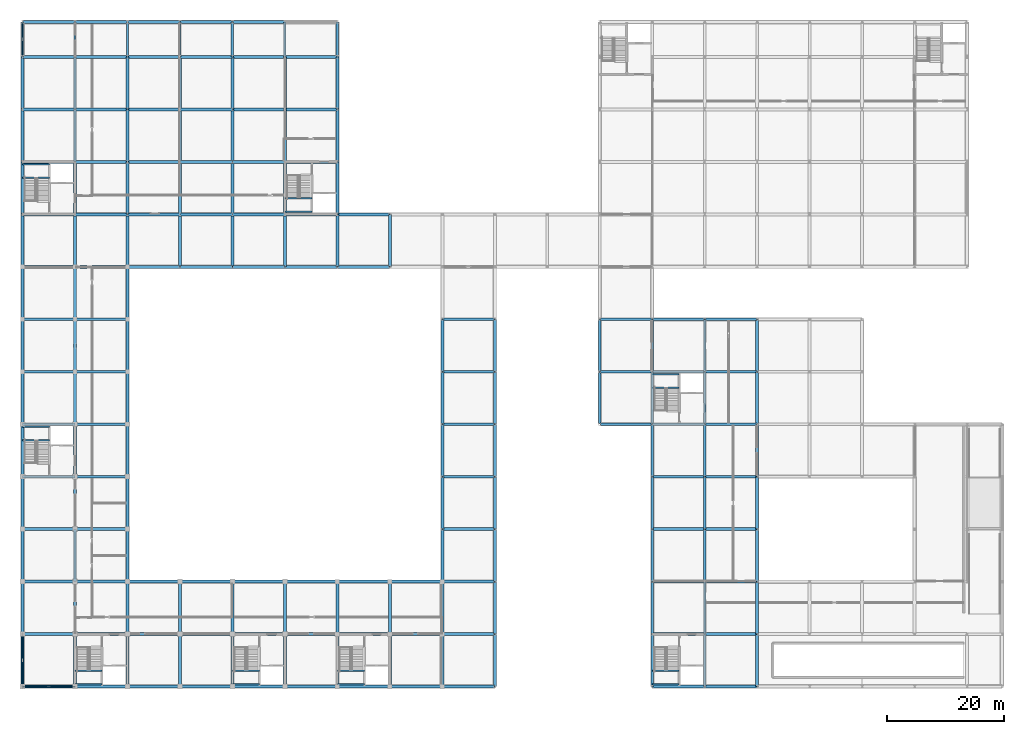
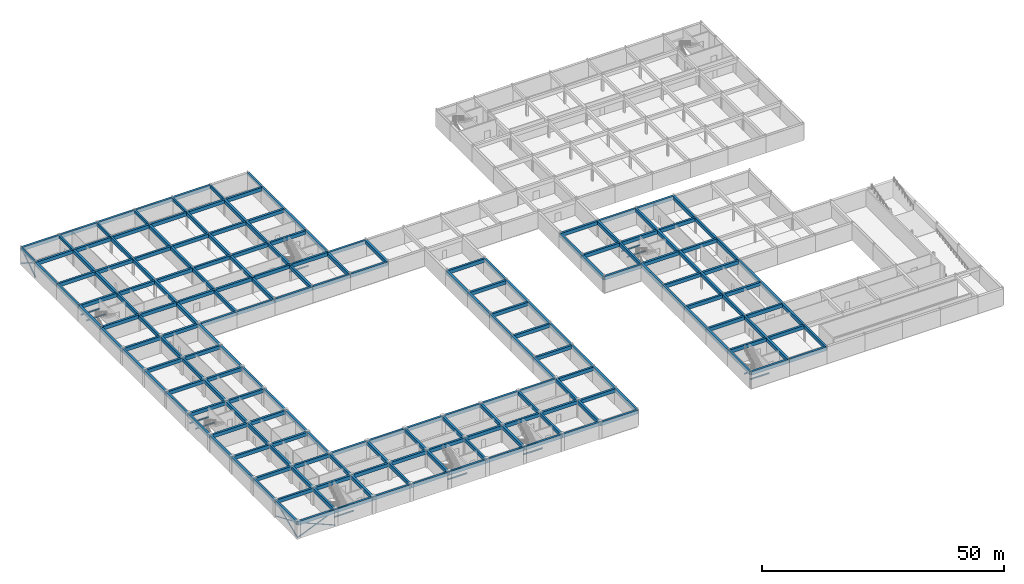
# One storey, part 15 of 35: 221 beams, 12 members.
"""IFC4 building model written with IfcOpenShell, lengths in metres."""

from ifc_helpers import new_model, si_unit, direction, frame, origin, origin_2d, place, context, subcontext, project, spatial, rectangle, hollow_rectangle, hollow_circle, i_section, extrude, material, material_profile, profile_set, type_object, element, save


model = new_model("IFC4")

# Units and contexts
model_context = context("Model", 3, precision=1e-05, world=origin(), true_north=direction((0.0, 1.0)))
body_context = subcontext(model_context, "Body", "Model", "MODEL_VIEW")
ifc_project = project(units=[si_unit("LENGTHUNIT", "METRE"), si_unit("AREAUNIT", "SQUARE_METRE"), si_unit("VOLUMEUNIT", "CUBIC_METRE"), si_unit("PLANEANGLEUNIT", "RADIAN"), si_unit("MASSUNIT", "GRAM", prefix="KILO")], contexts=[model_context])

# Site, building, storey
site_placement = place(None, origin())
site = spatial("IfcSite", under=ifc_project, at=site_placement, CompositionType="ELEMENT")
building_placement = place(site_placement, origin())
building = spatial("IfcBuilding", under=site, at=building_placement, Name="Palais des Congres Ocreval", CompositionType="ELEMENT")
storey_placement = place(building_placement, frame((0.0, 0.0, -4.47998046875)))
storey = spatial("IfcBuildingStorey", under=building, at=storey_placement, Name="B1", CompositionType="ELEMENT", Elevation=-4.47998046875)

# Beams
ifc_material_1 = material(Name="Concrete C35/45", Category="concrete")
ifc_material_profile_1 = material_profile(ifc_material_1, rectangle(XDim=0.39990234375, YDim=0.699951171875, at=origin_2d()), Name="RC 400x700")
ifc_profile_set_1 = profile_set([ifc_material_profile_1], Name="Concrete C35/45")
beam_type_1 = type_object("IfcBeamType", Name="Basement Beam RC 400x700 Concrete C35/45", PredefinedType="BEAM", material=ifc_profile_set_1)
for number, where, z_axis, x_axis, name in (
    (1, (0.0, 108.02001953125, 3.830078125), (0.0, 1.0, 0.0), (-1.0, 0.0, 0.0), "Girder TG03 B1"),
    (2, (9.0, 108.02001953125, 3.830078125), (0.0, 1.0, 0.0), (-1.0, 0.0, 0.0), "Girder TG03 B1"),
    (3, (18.0, 108.02001953125, 3.830078125), (0.0, 1.0, 0.0), (-1.0, 0.0, 0.0), "Girder TG03 B1"),
    (4, (27.0, 108.02001953125, 3.830078125), (0.0, 1.0, 0.0), (-1.0, 0.0, 0.0), "Girder TG03 B1"),
    (5, (36.0, 108.02001953125, 3.830078125), (0.0, 1.0, 0.0), (-1.0, 0.0, 0.0), "Girder TG03 B1"),
    (6, (45.0, 108.02001953125, 3.830078125), (0.0, 1.0, 0.0), (-1.0, 0.0, 0.0), "Girder TG03 B1"),
    (7, (54.0, 108.02001953125, 3.830078125), (0.0, 1.0, 0.0), (-1.0, 0.0, 0.0), "Girder TG03 B1"),
):
    element("IfcBeam", number, at=place(storey_placement, frame(where, z_axis=z_axis, x_axis=x_axis)), inside=storey, type_object=beam_type_1, Name=name, PredefinedType="BEAM", context=body_context, shape_type="SweptSolid", body=[
        extrude(rectangle(XDim=0.39990234375, YDim=0.699951171875, at=origin_2d()), origin(), (0.0, 0.0, 1.0), 5.9599609375),
    ])
ifc_material_profile_2 = material_profile(ifc_material_1, rectangle(XDim=0.5, YDim=0.89990234375, at=origin_2d()), Name="RC 500x900")
ifc_profile_set_2 = profile_set([ifc_material_profile_2], Name="Concrete C35/45")
beam_type_2 = type_object("IfcBeamType", Name="Basement Girder RC 500x900 Concrete C35/45", PredefinedType="BEAM", material=ifc_profile_set_2)
for number, where, z_axis, x_axis, name in (
    (8, (0.02001953125, 0.0, 3.77001953125), (1.0, 0.0, 0.0), (0.0, 1.0, 0.0), "Beam TG04 B1"),
    (9, (0.0, 0.02001953125, 3.77001953125), (0.0, 1.0, 0.0), (-1.0, 0.0, 0.0), "Girder TG04 B1"),
    (10, (0.02001953125, 9.0, 3.77001953125), (1.0, 0.0, 0.0), (0.0, 1.0, 0.0), "Beam TG04 B1"),
    (11, (0.0, 9.02001953125, 3.77001953125), (0.0, 1.0, 0.0), (-1.0, 0.0, 0.0), "Girder TG04 B1"),
    (12, (0.02001953125, 18.0, 3.77001953125), (1.0, 0.0, 0.0), (0.0, 1.0, 0.0), "Beam TG04 B1"),
    (13, (0.0, 18.02001953125, 3.77001953125), (0.0, 1.0, 0.0), (-1.0, 0.0, 0.0), "Girder TG04 B1"),
    (14, (0.02001953125, 27.0, 3.77001953125), (1.0, 0.0, 0.0), (0.0, 1.0, 0.0), "Beam TG04 B1"),
    (15, (0.0, 27.02001953125, 3.77001953125), (0.0, 1.0, 0.0), (-1.0, 0.0, 0.0), "Girder TG04 B1"),
    (16, (0.02001953125, 36.0, 3.77001953125), (1.0, 0.0, 0.0), (0.0, 1.0, 0.0), "Beam TG04 B1"),
    (17, (0.0, 36.02001953125, 3.77001953125), (0.0, 1.0, 0.0), (-1.0, 0.0, 0.0), "Girder TG04 B1"),
    (18, (0.02001953125, 45.0, 3.77001953125), (1.0, 0.0, 0.0), (0.0, 1.0, 0.0), "Beam TG04 B1"),
    (19, (0.0, 45.02001953125, 3.77001953125), (0.0, 1.0, 0.0), (-1.0, 0.0, 0.0), "Girder TG04 B1"),
    (20, (0.02001953125, 54.0, 3.77001953125), (1.0, 0.0, 0.0), (0.0, 1.0, 0.0), "Beam TG04 B1"),
    (21, (0.0, 54.02001953125, 3.77001953125), (0.0, 1.0, 0.0), (-1.0, 0.0, 0.0), "Girder TG04 B1"),
    (22, (0.02001953125, 63.0, 3.77001953125), (1.0, 0.0, 0.0), (0.0, 1.0, 0.0), "Beam TG04 B1"),
    (23, (0.0, 63.02001953125, 3.77001953125), (0.0, 1.0, 0.0), (-1.0, 0.0, 0.0), "Girder TG04 B1"),
    (24, (0.02001953125, 72.0, 3.77001953125), (1.0, 0.0, 0.0), (0.0, 1.0, 0.0), "Beam TG04 B1"),
    (25, (0.0, 72.02001953125, 3.580078125), (0.0, 1.0, 0.0), (-1.0, 0.0, 0.0), "Girder TG04 B1"),
    (26, (0.02001953125, 81.0, 3.72998046875), (1.0, 0.0, 0.0), (0.0, 1.0, 0.0), "Beam TG04 B1"),
    (27, (0.0, 81.02001953125, 3.72998046875), (0.0, 1.0, 0.0), (-1.0, 0.0, 0.0), "Girder TG04 B1"),
    (28, (0.02001953125, 90.0, 3.72998046875), (1.0, 0.0, 0.0), (0.0, 1.0, 0.0), "Beam TG04 B1"),
    (29, (0.0, 90.02001953125, 3.72998046875), (0.0, 1.0, 0.0), (-1.0, 0.0, 0.0), "Girder TG04 B1"),
    (30, (0.02001953125, 99.0, 3.72998046875), (1.0, 0.0, 0.0), (0.0, 1.0, 0.0), "Beam TG04 B1"),
    (31, (0.0, 99.02001953125, 3.72998046875), (0.0, 1.0, 0.0), (-1.0, 0.0, 0.0), "Girder TG04 B1"),
    (32, (0.02001953125, 108.0, 3.72998046875), (1.0, 0.0, 0.0), (0.0, 1.0, 0.0), "Beam TG04 B1"),
    (33, (0.02001953125, 114.0, 3.72998046875), (1.0, 0.0, 0.0), (0.0, 1.0, 0.0), "Beam TG04 B1"),
    (34, (9.02001953125, 0.0, 3.77001953125), (1.0, 0.0, 0.0), (0.0, 1.0, 0.0), "Beam TG04 B1"),
    (35, (9.0, 0.02001953125, 3.77001953125), (0.0, 1.0, 0.0), (-1.0, 0.0, 0.0), "Girder TG04 B1"),
    (36, (9.02001953125, 9.0, 3.77001953125), (1.0, 0.0, 0.0), (0.0, 1.0, 0.0), "Beam TG04 B1"),
    (37, (9.0, 9.02001953125, 3.77001953125), (0.0, 1.0, 0.0), (-1.0, 0.0, 0.0), "Girder TG04 B1"),
    (38, (9.02001953125, 18.0, 3.77001953125), (1.0, 0.0, 0.0), (0.0, 1.0, 0.0), "Beam TG04 B1"),
    (39, (9.0, 18.02001953125, 3.77001953125), (0.0, 1.0, 0.0), (-1.0, 0.0, 0.0), "Girder TG04 B1"),
    (40, (9.02001953125, 27.0, 3.77001953125), (1.0, 0.0, 0.0), (0.0, 1.0, 0.0), "Beam TG04 B1"),
    (41, (9.0, 27.02001953125, 3.77001953125), (0.0, 1.0, 0.0), (-1.0, 0.0, 0.0), "Girder TG04 B1"),
    (42, (9.02001953125, 36.0, 3.77001953125), (1.0, 0.0, 0.0), (0.0, 1.0, 0.0), "Beam TG04 B1"),
    (43, (9.0, 36.02001953125, 3.77001953125), (0.0, 1.0, 0.0), (-1.0, 0.0, 0.0), "Girder TG04 B1"),
    (44, (9.02001953125, 45.0, 3.77001953125), (1.0, 0.0, 0.0), (0.0, 1.0, 0.0), "Beam TG04 B1"),
    (45, (9.0, 45.02001953125, 3.77001953125), (0.0, 1.0, 0.0), (-1.0, 0.0, 0.0), "Girder TG04 B1"),
    (46, (9.02001953125, 54.0, 3.77001953125), (1.0, 0.0, 0.0), (0.0, 1.0, 0.0), "Beam TG04 B1"),
    (47, (9.0, 54.02001953125, 3.77001953125), (0.0, 1.0, 0.0), (-1.0, 0.0, 0.0), "Girder TG04 B1"),
    (48, (9.02001953125, 63.0, 3.77001953125), (1.0, 0.0, 0.0), (0.0, 1.0, 0.0), "Beam TG04 B1"),
    (49, (9.0, 63.02001953125, 3.77001953125), (0.0, 1.0, 0.0), (-1.0, 0.0, 0.0), "Girder TG04 B1"),
    (50, (9.02001953125, 72.0, 3.77001953125), (1.0, 0.0, 0.0), (0.0, 1.0, 0.0), "Beam TG04 B1"),
    (51, (9.0, 72.02001953125, 3.580078125), (0.0, 1.0, 0.0), (-1.0, 0.0, 0.0), "Girder TG04 B1"),
    (52, (9.02001953125, 81.0, 3.72998046875), (1.0, 0.0, 0.0), (0.0, 1.0, 0.0), "Beam TG04 B1"),
    (53, (9.0, 81.02001953125, 3.72998046875), (0.0, 1.0, 0.0), (-1.0, 0.0, 0.0), "Girder TG04 B1"),
    (54, (9.02001953125, 90.0, 3.72998046875), (1.0, 0.0, 0.0), (0.0, 1.0, 0.0), "Beam TG04 B1"),
    (55, (9.0, 90.02001953125, 3.72998046875), (0.0, 1.0, 0.0), (-1.0, 0.0, 0.0), "Girder TG04 B1"),
    (56, (9.02001953125, 99.0, 3.72998046875), (1.0, 0.0, 0.0), (0.0, 1.0, 0.0), "Beam TG04 B1"),
    (57, (9.0, 99.02001953125, 3.72998046875), (0.0, 1.0, 0.0), (-1.0, 0.0, 0.0), "Girder TG04 B1"),
    (58, (9.02001953125, 108.0, 3.72998046875), (1.0, 0.0, 0.0), (0.0, 1.0, 0.0), "Beam TG04 B1"),
    (59, (9.02001953125, 114.0, 3.72998046875), (1.0, 0.0, 0.0), (0.0, 1.0, 0.0), "Beam TG04 B1"),
    (60, (18.02001953125, 0.0, 3.77001953125), (1.0, 0.0, 0.0), (0.0, 1.0, 0.0), "Beam TG04 B1"),
    (61, (18.0, 0.02001953125, 3.77001953125), (0.0, 1.0, 0.0), (-1.0, 0.0, 0.0), "Girder TG04 B1"),
    (62, (18.02001953125, 9.0, 3.77001953125), (1.0, 0.0, 0.0), (0.0, 1.0, 0.0), "Beam TG04 B1"),
    (63, (18.0, 9.02001953125, 3.77001953125), (0.0, 1.0, 0.0), (-1.0, 0.0, 0.0), "Girder TG04 B1"),
    (64, (18.02001953125, 18.0, 3.77001953125), (1.0, 0.0, 0.0), (0.0, 1.0, 0.0), "Beam TG04 B1"),
    (65, (18.0, 18.02001953125, 3.77001953125), (0.0, 1.0, 0.0), (-1.0, 0.0, 0.0), "Girder TG04 B1"),
    (66, (18.0, 27.02001953125, 3.77001953125), (0.0, 1.0, 0.0), (-1.0, 0.0, 0.0), "Girder TG04 B1"),
    (67, (18.0, 36.02001953125, 3.77001953125), (0.0, 1.0, 0.0), (-1.0, 0.0, 0.0), "Girder TG04 B1"),
    (68, (18.0, 45.02001953125, 3.77001953125), (0.0, 1.0, 0.0), (-1.0, 0.0, 0.0), "Girder TG04 B1"),
    (69, (18.0, 54.02001953125, 3.77001953125), (0.0, 1.0, 0.0), (-1.0, 0.0, 0.0), "Girder TG04 B1"),
    (70, (18.0, 63.02001953125, 3.77001953125), (0.0, 1.0, 0.0), (-1.0, 0.0, 0.0), "Girder TG04 B1"),
    (71, (18.02001953125, 72.0, 3.580078125), (1.0, 0.0, 0.0), (0.0, 1.0, 0.0), "Beam TG04 B1"),
    (72, (18.0, 72.02001953125, 3.580078125), (0.0, 1.0, 0.0), (-1.0, 0.0, 0.0), "Girder TG04 B1"),
    (73, (18.02001953125, 81.0, 3.72998046875), (1.0, 0.0, 0.0), (0.0, 1.0, 0.0), "Beam TG04 B1"),
    (74, (18.0, 81.02001953125, 3.72998046875), (0.0, 1.0, 0.0), (-1.0, 0.0, 0.0), "Girder TG04 B1"),
    (75, (18.02001953125, 90.0, 3.72998046875), (1.0, 0.0, 0.0), (0.0, 1.0, 0.0), "Beam TG04 B1"),
    (76, (18.0, 90.02001953125, 3.72998046875), (0.0, 1.0, 0.0), (-1.0, 0.0, 0.0), "Girder TG04 B1"),
    (77, (18.02001953125, 99.0, 3.72998046875), (1.0, 0.0, 0.0), (0.0, 1.0, 0.0), "Beam TG04 B1"),
    (78, (18.0, 99.02001953125, 3.72998046875), (0.0, 1.0, 0.0), (-1.0, 0.0, 0.0), "Girder TG04 B1"),
    (79, (18.02001953125, 108.0, 3.72998046875), (1.0, 0.0, 0.0), (0.0, 1.0, 0.0), "Beam TG04 B1"),
    (80, (18.02001953125, 114.0, 3.72998046875), (1.0, 0.0, 0.0), (0.0, 1.0, 0.0), "Beam TG04 B1"),
    (81, (27.02001953125, 0.0, 3.77001953125), (1.0, 0.0, 0.0), (0.0, 1.0, 0.0), "Beam TG04 B1"),
    (82, (27.0, 0.02001953125, 3.77001953125), (0.0, 1.0, 0.0), (-1.0, 0.0, 0.0), "Girder TG04 B1"),
    (83, (27.02001953125, 9.0, 3.77001953125), (1.0, 0.0, 0.0), (0.0, 1.0, 0.0), "Beam TG04 B1"),
    (84, (27.0, 9.02001953125, 3.77001953125), (0.0, 1.0, 0.0), (-1.0, 0.0, 0.0), "Girder TG04 B1"),
    (85, (27.02001953125, 18.0, 3.77001953125), (1.0, 0.0, 0.0), (0.0, 1.0, 0.0), "Beam TG04 B1"),
    (86, (27.02001953125, 72.0, 3.580078125), (1.0, 0.0, 0.0), (0.0, 1.0, 0.0), "Beam TG04 B1"),
    (87, (27.0, 72.02001953125, 3.580078125), (0.0, 1.0, 0.0), (-1.0, 0.0, 0.0), "Girder TG04 B1"),
    (88, (27.02001953125, 81.0, 3.72998046875), (1.0, 0.0, 0.0), (0.0, 1.0, 0.0), "Beam TG04 B1"),
    (89, (27.0, 81.02001953125, 3.72998046875), (0.0, 1.0, 0.0), (-1.0, 0.0, 0.0), "Girder TG04 B1"),
    (90, (27.02001953125, 90.0, 3.72998046875), (1.0, 0.0, 0.0), (0.0, 1.0, 0.0), "Beam TG04 B1"),
    (91, (27.0, 90.02001953125, 3.72998046875), (0.0, 1.0, 0.0), (-1.0, 0.0, 0.0), "Girder TG04 B1"),
    (92, (27.02001953125, 99.0, 3.72998046875), (1.0, 0.0, 0.0), (0.0, 1.0, 0.0), "Beam TG04 B1"),
    (93, (27.0, 99.02001953125, 3.72998046875), (0.0, 1.0, 0.0), (-1.0, 0.0, 0.0), "Girder TG04 B1"),
    (94, (27.02001953125, 108.0, 3.72998046875), (1.0, 0.0, 0.0), (0.0, 1.0, 0.0), "Beam TG04 B1"),
    (95, (27.02001953125, 114.0, 3.72998046875), (1.0, 0.0, 0.0), (0.0, 1.0, 0.0), "Beam TG04 B1"),
    (96, (36.02001953125, 0.0, 3.77001953125), (1.0, 0.0, 0.0), (0.0, 1.0, 0.0), "Beam TG04 B1"),
    (97, (36.0, 0.02001953125, 3.77001953125), (0.0, 1.0, 0.0), (-1.0, 0.0, 0.0), "Girder TG04 B1"),
    (98, (36.02001953125, 9.0, 3.77001953125), (1.0, 0.0, 0.0), (0.0, 1.0, 0.0), "Beam TG04 B1"),
    (99, (36.0, 9.02001953125, 3.77001953125), (0.0, 1.0, 0.0), (-1.0, 0.0, 0.0), "Girder TG04 B1"),
    (100, (36.02001953125, 18.0, 3.77001953125), (1.0, 0.0, 0.0), (0.0, 1.0, 0.0), "Beam TG04 B1"),
    (101, (36.02001953125, 72.0, 3.580078125), (1.0, 0.0, 0.0), (0.0, 1.0, 0.0), "Beam TG04 B1"),
    (102, (36.0, 72.02001953125, 3.580078125), (0.0, 1.0, 0.0), (-1.0, 0.0, 0.0), "Girder TG04 B1"),
    (103, (36.02001953125, 81.0, 3.72998046875), (1.0, 0.0, 0.0), (0.0, 1.0, 0.0), "Beam TG04 B1"),
    (104, (36.0, 81.02001953125, 3.72998046875), (0.0, 1.0, 0.0), (-1.0, 0.0, 0.0), "Girder TG04 B1"),
    (105, (36.02001953125, 90.0, 3.72998046875), (1.0, 0.0, 0.0), (0.0, 1.0, 0.0), "Beam TG04 B1"),
    (106, (36.0, 90.02001953125, 3.72998046875), (0.0, 1.0, 0.0), (-1.0, 0.0, 0.0), "Girder TG04 B1"),
    (107, (36.02001953125, 99.0, 3.72998046875), (1.0, 0.0, 0.0), (0.0, 1.0, 0.0), "Beam TG04 B1"),
    (108, (36.0, 99.02001953125, 3.72998046875), (0.0, 1.0, 0.0), (-1.0, 0.0, 0.0), "Girder TG04 B1"),
    (109, (36.02001953125, 108.0, 3.72998046875), (1.0, 0.0, 0.0), (0.0, 1.0, 0.0), "Beam TG04 B1"),
    (110, (36.02001953125, 114.0, 3.72998046875), (1.0, 0.0, 0.0), (0.0, 1.0, 0.0), "Beam TG04 B1"),
    (111, (45.02001953125, 0.0, 3.77001953125), (1.0, 0.0, 0.0), (0.0, 1.0, 0.0), "Beam TG04 B1"),
    (112, (45.0, 0.02001953125, 3.77001953125), (0.0, 1.0, 0.0), (-1.0, 0.0, 0.0), "Girder TG04 B1"),
    (113, (45.02001953125, 9.0, 3.77001953125), (1.0, 0.0, 0.0), (0.0, 1.0, 0.0), "Beam TG04 B1"),
    (114, (45.0, 9.02001953125, 3.77001953125), (0.0, 1.0, 0.0), (-1.0, 0.0, 0.0), "Girder TG04 B1"),
    (115, (45.02001953125, 18.0, 3.77001953125), (1.0, 0.0, 0.0), (0.0, 1.0, 0.0), "Beam TG04 B1"),
    (116, (45.02001953125, 72.0, 3.580078125), (1.0, 0.0, 0.0), (0.0, 1.0, 0.0), "Beam TG04 B1"),
    (117, (45.0, 72.02001953125, 3.580078125), (0.0, 1.0, 0.0), (-1.0, 0.0, 0.0), "Girder TG04 B1"),
    (118, (45.02001953125, 81.0, 3.72998046875), (1.0, 0.0, 0.0), (0.0, 1.0, 0.0), "Beam TG04 B1"),
    (119, (45.0, 81.02001953125, 3.72998046875), (0.0, 1.0, 0.0), (-1.0, 0.0, 0.0), "Girder TG04 B1"),
    (120, (45.02001953125, 90.0, 3.72998046875), (1.0, 0.0, 0.0), (0.0, 1.0, 0.0), "Beam TG04 B1"),
    (121, (45.0, 90.02001953125, 3.72998046875), (0.0, 1.0, 0.0), (-1.0, 0.0, 0.0), "Girder TG04 B1"),
    (122, (45.02001953125, 99.0, 3.72998046875), (1.0, 0.0, 0.0), (0.0, 1.0, 0.0), "Beam TG04 B1"),
    (123, (45.0, 99.02001953125, 3.72998046875), (0.0, 1.0, 0.0), (-1.0, 0.0, 0.0), "Girder TG04 B1"),
    (124, (45.02001953125, 108.0, 3.72998046875), (1.0, 0.0, 0.0), (0.0, 1.0, 0.0), "Beam TG04 B1"),
    (125, (54.02001953125, 0.0, 3.77001953125), (1.0, 0.0, 0.0), (0.0, 1.0, 0.0), "Beam TG04 B1"),
    (126, (54.0, 0.02001953125, 3.77001953125), (0.0, 1.0, 0.0), (-1.0, 0.0, 0.0), "Girder TG04 B1"),
    (127, (54.02001953125, 9.0, 3.77001953125), (1.0, 0.0, 0.0), (0.0, 1.0, 0.0), "Beam TG04 B1"),
    (128, (54.0, 9.02001953125, 3.77001953125), (0.0, 1.0, 0.0), (-1.0, 0.0, 0.0), "Girder TG04 B1"),
    (129, (54.02001953125, 18.0, 3.77001953125), (1.0, 0.0, 0.0), (0.0, 1.0, 0.0), "Beam TG04 B1"),
    (130, (54.02001953125, 72.0, 3.580078125), (1.0, 0.0, 0.0), (0.0, 1.0, 0.0), "Beam TG04 B1"),
    (131, (54.0, 72.02001953125, 3.580078125), (0.0, 1.0, 0.0), (-1.0, 0.0, 0.0), "Girder TG04 B1"),
    (132, (54.02001953125, 81.0, 3.580078125), (1.0, 0.0, 0.0), (0.0, 1.0, 0.0), "Beam TG04 B1"),
    (133, (54.0, 81.02001953125, 3.72998046875), (0.0, 1.0, 0.0), (-1.0, 0.0, 0.0), "Girder TG04 B1"),
    (134, (54.0, 90.02001953125, 3.72998046875), (0.0, 1.0, 0.0), (-1.0, 0.0, 0.0), "Girder TG04 B1"),
    (135, (54.0, 99.02001953125, 3.72998046875), (0.0, 1.0, 0.0), (-1.0, 0.0, 0.0), "Girder TG04 B1"),
    (136, (63.02001953125, 0.0, 3.77001953125), (1.0, 0.0, 0.0), (0.0, 1.0, 0.0), "Beam TG04 B1"),
    (137, (63.0, 0.02001953125, 3.77001953125), (0.0, 1.0, 0.0), (-1.0, 0.0, 0.0), "Girder TG04 B1"),
    (138, (63.02001953125, 9.0, 3.77001953125), (1.0, 0.0, 0.0), (0.0, 1.0, 0.0), "Beam TG04 B1"),
    (139, (63.0, 9.02001953125, 3.77001953125), (0.0, 1.0, 0.0), (-1.0, 0.0, 0.0), "Girder TG04 B1"),
    (140, (63.02001953125, 18.0, 3.77001953125), (1.0, 0.0, 0.0), (0.0, 1.0, 0.0), "Beam TG04 B1"),
    (141, (63.0, 72.02001953125, 3.580078125), (0.0, 1.0, 0.0), (-1.0, 0.0, 0.0), "Girder TG04 B1"),
    (142, (72.02001953125, 0.0, 3.580078125), (1.0, 0.0, 0.0), (0.0, 1.0, 0.0), "Beam TG04 B1"),
    (143, (72.0, 0.02001953125, 3.77001953125), (0.0, 1.0, 0.0), (-1.0, 0.0, 0.0), "Girder TG04 B1"),
    (144, (72.02001953125, 9.0, 3.580078125), (1.0, 0.0, 0.0), (0.0, 1.0, 0.0), "Beam TG04 B1"),
    (145, (72.0, 9.02001953125, 3.77001953125), (0.0, 1.0, 0.0), (-1.0, 0.0, 0.0), "Girder TG04 B1"),
    (146, (72.02001953125, 18.0, 3.580078125), (1.0, 0.0, 0.0), (0.0, 1.0, 0.0), "Beam TG04 B1"),
    (147, (72.0, 18.02001953125, 3.580078125), (0.0, 1.0, 0.0), (-1.0, 0.0, 0.0), "Girder TG04 B1"),
    (148, (72.02001953125, 27.0, 3.580078125), (1.0, 0.0, 0.0), (0.0, 1.0, 0.0), "Beam TG04 B1"),
    (149, (72.0, 27.02001953125, 3.580078125), (0.0, 1.0, 0.0), (-1.0, 0.0, 0.0), "Girder TG04 B1"),
    (150, (72.02001953125, 36.0, 3.580078125), (1.0, 0.0, 0.0), (0.0, 1.0, 0.0), "Beam TG04 B1"),
    (151, (72.0, 36.02001953125, 3.580078125), (0.0, 1.0, 0.0), (-1.0, 0.0, 0.0), "Girder TG04 B1"),
    (152, (72.02001953125, 45.0, 3.580078125), (1.0, 0.0, 0.0), (0.0, 1.0, 0.0), "Beam TG04 B1"),
    (153, (72.0, 45.02001953125, 3.580078125), (0.0, 1.0, 0.0), (-1.0, 0.0, 0.0), "Girder TG04 B1"),
    (154, (72.02001953125, 54.0, 3.580078125), (1.0, 0.0, 0.0), (0.0, 1.0, 0.0), "Beam TG04 B1"),
    (155, (72.0, 54.02001953125, 3.580078125), (0.0, 1.0, 0.0), (-1.0, 0.0, 0.0), "Girder TG04 B1"),
    (156, (72.02001953125, 63.0, 3.580078125), (1.0, 0.0, 0.0), (0.0, 1.0, 0.0), "Beam TG04 B1"),
    (157, (81.0, 0.02001953125, 3.580078125), (0.0, 1.0, 0.0), (-1.0, 0.0, 0.0), "Girder TG04 B1"),
    (158, (81.0, 9.02001953125, 3.580078125), (0.0, 1.0, 0.0), (-1.0, 0.0, 0.0), "Girder TG04 B1"),
    (159, (81.0, 18.02001953125, 3.580078125), (0.0, 1.0, 0.0), (-1.0, 0.0, 0.0), "Girder TG04 B1"),
    (160, (81.0, 27.02001953125, 3.580078125), (0.0, 1.0, 0.0), (-1.0, 0.0, 0.0), "Girder TG04 B1"),
    (161, (81.0, 36.02001953125, 3.580078125), (0.0, 1.0, 0.0), (-1.0, 0.0, 0.0), "Girder TG04 B1"),
    (162, (81.0, 45.02001953125, 3.580078125), (0.0, 1.0, 0.0), (-1.0, 0.0, 0.0), "Girder TG04 B1"),
    (163, (81.0, 54.02001953125, 3.580078125), (0.0, 1.0, 0.0), (-1.0, 0.0, 0.0), "Girder TG04 B1"),
    (164, (99.02001953125, 45.0, 3.580078125), (1.0, 0.0, 0.0), (0.0, 1.0, 0.0), "Beam TG04 B1"),
    (165, (99.0, 45.02001953125, 3.580078125), (0.0, 1.0, 0.0), (-1.0, 0.0, 0.0), "Girder TG04 B1"),
    (166, (99.02001953125, 54.0, 3.580078125), (1.0, 0.0, 0.0), (0.0, 1.0, 0.0), "Beam TG04 B1"),
    (167, (99.0, 54.02001953125, 3.580078125), (0.0, 1.0, 0.0), (-1.0, 0.0, 0.0), "Girder TG04 B1"),
    (168, (99.02001953125, 63.0, 3.580078125), (1.0, 0.0, 0.0), (0.0, 1.0, 0.0), "Beam TG04 B1"),
    (169, (108.02001953125, 0.0, 3.77001953125), (1.0, 0.0, 0.0), (0.0, 1.0, 0.0), "Beam TG04 B1"),
    (170, (108.0, 0.02001953125, 3.77001953125), (0.0, 1.0, 0.0), (-1.0, 0.0, 0.0), "Girder TG04 B1"),
    (171, (108.02001953125, 9.0, 3.77001953125), (1.0, 0.0, 0.0), (0.0, 1.0, 0.0), "Beam TG04 B1"),
    (172, (108.0, 9.02001953125, 3.77001953125), (0.0, 1.0, 0.0), (-1.0, 0.0, 0.0), "Girder TG04 B1"),
    (173, (108.02001953125, 18.0, 3.77001953125), (1.0, 0.0, 0.0), (0.0, 1.0, 0.0), "Beam TG04 B1"),
    (174, (108.0, 18.02001953125, 3.77001953125), (0.0, 1.0, 0.0), (-1.0, 0.0, 0.0), "Girder TG04 B1"),
    (175, (108.02001953125, 27.0, 3.77001953125), (1.0, 0.0, 0.0), (0.0, 1.0, 0.0), "Beam TG04 B1"),
    (176, (108.0, 27.02001953125, 3.77001953125), (0.0, 1.0, 0.0), (-1.0, 0.0, 0.0), "Girder TG04 B1"),
    (177, (108.02001953125, 36.0, 3.77001953125), (1.0, 0.0, 0.0), (0.0, 1.0, 0.0), "Beam TG04 B1"),
    (178, (108.0, 36.02001953125, 3.77001953125), (0.0, 1.0, 0.0), (-1.0, 0.0, 0.0), "Girder TG04 B1"),
    (179, (108.02001953125, 45.0, 3.77001953125), (1.0, 0.0, 0.0), (0.0, 1.0, 0.0), "Beam TG04 B1"),
    (180, (108.0, 45.02001953125, 3.580078125), (0.0, 1.0, 0.0), (-1.0, 0.0, 0.0), "Girder TG04 B1"),
    (181, (108.02001953125, 54.0, 3.580078125), (1.0, 0.0, 0.0), (0.0, 1.0, 0.0), "Beam TG04 B1"),
    (182, (108.0, 54.02001953125, 3.580078125), (0.0, 1.0, 0.0), (-1.0, 0.0, 0.0), "Girder TG04 B1"),
    (183, (108.02001953125, 63.0, 3.580078125), (1.0, 0.0, 0.0), (0.0, 1.0, 0.0), "Beam TG04 B1"),
    (184, (117.02001953125, 0.0, 3.77001953125), (1.0, 0.0, 0.0), (0.0, 1.0, 0.0), "Beam TG04 B1"),
    (185, (117.0, 0.02001953125, 3.77001953125), (0.0, 1.0, 0.0), (-1.0, 0.0, 0.0), "Girder TG04 B1"),
    (186, (117.02001953125, 9.0, 3.77001953125), (1.0, 0.0, 0.0), (0.0, 1.0, 0.0), "Beam TG04 B1"),
    (187, (117.0, 9.02001953125, 3.77001953125), (0.0, 1.0, 0.0), (-1.0, 0.0, 0.0), "Girder TG04 B1"),
    (188, (117.02001953125, 18.0, 3.77001953125), (1.0, 0.0, 0.0), (0.0, 1.0, 0.0), "Beam TG04 B1"),
    (189, (117.0, 18.02001953125, 3.77001953125), (0.0, 1.0, 0.0), (-1.0, 0.0, 0.0), "Girder TG04 B1"),
    (190, (117.02001953125, 27.0, 3.77001953125), (1.0, 0.0, 0.0), (0.0, 1.0, 0.0), "Beam TG04 B1"),
    (191, (117.0, 27.02001953125, 3.77001953125), (0.0, 1.0, 0.0), (-1.0, 0.0, 0.0), "Girder TG04 B1"),
    (192, (117.02001953125, 36.0, 3.77001953125), (1.0, 0.0, 0.0), (0.0, 1.0, 0.0), "Beam TG04 B1"),
    (193, (117.0, 36.02001953125, 3.77001953125), (0.0, 1.0, 0.0), (-1.0, 0.0, 0.0), "Girder TG04 B1"),
    (194, (117.02001953125, 45.0, 3.77001953125), (1.0, 0.0, 0.0), (0.0, 1.0, 0.0), "Beam TG04 B1"),
    (195, (117.0, 45.02001953125, 3.580078125), (0.0, 1.0, 0.0), (-1.0, 0.0, 0.0), "Girder TG04 B1"),
    (196, (117.02001953125, 54.0, 3.580078125), (1.0, 0.0, 0.0), (0.0, 1.0, 0.0), "Beam TG04 B1"),
    (197, (117.0, 54.02001953125, 3.580078125), (0.0, 1.0, 0.0), (-1.0, 0.0, 0.0), "Girder TG04 B1"),
    (198, (117.02001953125, 63.0, 3.580078125), (1.0, 0.0, 0.0), (0.0, 1.0, 0.0), "Beam TG04 B1"),
    (199, (126.0, 0.02001953125, 3.77001953125), (0.0, 1.0, 0.0), (-1.0, 0.0, 0.0), "Girder TG04 B1"),
    (200, (126.0, 9.02001953125, 3.77001953125), (0.0, 1.0, 0.0), (-1.0, 0.0, 0.0), "Girder TG04 B1"),
    (201, (126.0, 18.02001953125, 3.77001953125), (0.0, 1.0, 0.0), (-1.0, 0.0, 0.0), "Girder TG04 B1"),
    (202, (126.0, 27.02001953125, 3.77001953125), (0.0, 1.0, 0.0), (-1.0, 0.0, 0.0), "Girder TG04 B1"),
    (203, (126.0, 36.02001953125, 3.77001953125), (0.0, 1.0, 0.0), (-1.0, 0.0, 0.0), "Girder TG04 B1"),
    (204, (126.0, 45.02001953125, 3.580078125), (0.0, 1.0, 0.0), (-1.0, 0.0, 0.0), "Girder TG04 B1"),
    (205, (126.0, 54.02001953125, 3.580078125), (0.0, 1.0, 0.0), (-1.0, 0.0, 0.0), "Girder TG04 B1"),
):
    element("IfcBeam", number, at=place(storey_placement, frame(where, z_axis=z_axis, x_axis=x_axis)), inside=storey, type_object=beam_type_2, Name=name, PredefinedType="BEAM", context=body_context, shape_type="SweptSolid", body=[
        extrude(rectangle(XDim=0.5, YDim=0.89990234375, at=origin_2d()), origin(), (0.0, 0.0, 1.0), 8.9599609375),
    ])

# Members
ifc_material_2 = material(Name="Steel S355", Category="steel")
ifc_material_profile_3 = material_profile(ifc_material_2, hollow_circle(Radius=0.122314453125, WallThickness=0.012451171875, at=origin_2d()), Name="CHS 244.5x12.5")
ifc_profile_set_3 = profile_set([ifc_material_profile_3], Name="Steel S355")
member_type_1 = type_object("IfcMemberType", Name="Diagonal Brace CHS 244.5x12.5 Steel S355", PredefinedType="BRACE", material=ifc_profile_set_3)
member_1_placement = place(storey_placement, frame((0.0400390625, 0.0, 3.929931640625), z_axis=(0.920745889835, 0.0, -0.39016279468), x_axis=(0.0, 1.0, 0.0)))
element("IfcMember", 206, at=member_1_placement, inside=storey, type_object=member_type_1, Name="Lateral Brace BR02 B1", PredefinedType="BRACE", context=body_context, shape_type="SweptSolid", body=[
    extrude(hollow_circle(Radius=0.122314453125, WallThickness=0.012451171875, at=origin_2d()), origin(), (0.0, 0.0, 1.0), 4.84375),
])
member_2_placement = place(storey_placement, frame((4.5, 0.0, 2.0400390625), z_axis=(0.920727782703, 0.0, -0.390205522974), x_axis=(0.0, 1.0, 0.0)))
element("IfcMember", 207, at=member_2_placement, inside=storey, type_object=member_type_1, Name="Lateral Brace BR02 B1", PredefinedType="BRACE", context=body_context, shape_type="SweptSolid", body=[
    extrude(hollow_circle(Radius=0.122314453125, WallThickness=0.012451171875, at=origin_2d()), origin(), (0.0, 0.0, 1.0), 4.843994140625),
])
member_3_placement = place(storey_placement, frame((0.0, 0.0400390625, 3.929931640625), z_axis=(0.0, 0.920745889835, -0.39016279468), x_axis=(-1.0, 0.0, 0.0)))
element("IfcMember", 208, at=member_3_placement, inside=storey, type_object=member_type_1, Name="Lateral Brace BR02 B1", PredefinedType="BRACE", context=body_context, shape_type="SweptSolid", body=[
    extrude(hollow_circle(Radius=0.122314453125, WallThickness=0.012451171875, at=origin_2d()), origin(), (0.0, 0.0, 1.0), 4.84375),
])
member_4_placement = place(storey_placement, frame((0.0, 4.5, 2.0400390625), z_axis=(0.0, 0.920727782703, -0.390205522974), x_axis=(-1.0, 0.0, 0.0)))
element("IfcMember", 209, at=member_4_placement, inside=storey, type_object=member_type_1, Name="Lateral Brace BR02 B1", PredefinedType="BRACE", context=body_context, shape_type="SweptSolid", body=[
    extrude(hollow_circle(Radius=0.122314453125, WallThickness=0.012451171875, at=origin_2d()), origin(), (0.0, 0.0, 1.0), 4.843994140625),
])
ifc_material_profile_4 = material_profile(ifc_material_2, hollow_circle(Radius=0.136474609375, WallThickness=0.01611328125, at=origin_2d()), Name="CHS 273x16")
ifc_profile_set_4 = profile_set([ifc_material_profile_4], Name="Steel S355")
member_type_2 = type_object("IfcMemberType", Name="Diagonal Brace CHS 273x16 Steel S355", PredefinedType="BRACE", material=ifc_profile_set_4)
member_5_placement = place(storey_placement, frame((0.0400390625, 0.0, 0.14990234375), z_axis=(0.920727782703, 0.0, 0.390205522974), x_axis=(0.0, 1.0, 0.0)))
element("IfcMember", 210, at=member_5_placement, inside=storey, type_object=member_type_2, Name="Lateral Brace BR01 B1", PredefinedType="BRACE", context=body_context, shape_type="SweptSolid", body=[
    extrude(hollow_circle(Radius=0.136474609375, WallThickness=0.01611328125, at=origin_2d()), origin(), (0.0, 0.0, 1.0), 4.843994140625),
])
member_6_placement = place(storey_placement, frame((4.5, 0.0, 2.0400390625), z_axis=(0.920745889835, 0.0, 0.39016279468), x_axis=(0.0, 1.0, 0.0)))
element("IfcMember", 211, at=member_6_placement, inside=storey, type_object=member_type_2, Name="Lateral Brace BR01 B1", PredefinedType="BRACE", context=body_context, shape_type="SweptSolid", body=[
    extrude(hollow_circle(Radius=0.136474609375, WallThickness=0.01611328125, at=origin_2d()), origin(), (0.0, 0.0, 1.0), 4.84375),
])
member_7_placement = place(storey_placement, frame((0.0, 0.0400390625, 0.14990234375), z_axis=(0.0, 0.920727782703, 0.390205522974), x_axis=(-1.0, 0.0, 0.0)))
element("IfcMember", 212, at=member_7_placement, inside=storey, type_object=member_type_2, Name="Lateral Brace BR01 B1", PredefinedType="BRACE", context=body_context, shape_type="SweptSolid", body=[
    extrude(hollow_circle(Radius=0.136474609375, WallThickness=0.01611328125, at=origin_2d()), origin(), (0.0, 0.0, 1.0), 4.843994140625),
])
member_8_placement = place(storey_placement, frame((0.0, 4.5, 2.0400390625), z_axis=(0.0, 0.920745889835, 0.39016279468), x_axis=(-1.0, 0.0, 0.0)))
element("IfcMember", 213, at=member_8_placement, inside=storey, type_object=member_type_2, Name="Lateral Brace BR01 B1", PredefinedType="BRACE", context=body_context, shape_type="SweptSolid", body=[
    extrude(hollow_circle(Radius=0.136474609375, WallThickness=0.01611328125, at=origin_2d()), origin(), (0.0, 0.0, 1.0), 4.84375),
])
ifc_material_profile_5 = material_profile(ifc_material_2, hollow_rectangle(XDim=0.159912109375, YDim=0.159912109375, WallThickness=0.010009765625, at=origin_2d()), Name="RHS 160x160x10")
ifc_profile_set_5 = profile_set([ifc_material_profile_5], Name="Steel S355")
member_type_3 = type_object("IfcMemberType", Name="Lateral Brace RHS 160x160x10 Steel S355", PredefinedType="BRACE", material=ifc_profile_set_5)
for number, where, z_axis, x_axis, name in (
    (214, (0.0, 108.0400390625, 3.929931640625), (0.0, 0.842850424483, -0.538147899697), (-1.0, 0.0, 0.0), "Lateral Brace BR08 B1"),
    (215, (0.0, 111.0, 2.0400390625), (0.0, 0.842818891837, -0.538197283125), (-1.0, 0.0, 0.0), "Lateral Brace BR08 B1"),
):
    element("IfcMember", number, at=place(storey_placement, frame(where, z_axis=z_axis, x_axis=x_axis)), inside=storey, type_object=member_type_3, Name=name, PredefinedType="BRACE", context=body_context, shape_type="SweptSolid", body=[
        extrude(hollow_rectangle(XDim=0.159912109375, YDim=0.159912109375, WallThickness=0.010009765625, at=origin_2d()), origin(), (0.0, 0.0, 1.0), 3.511962890625),
    ])
ifc_material_profile_6 = material_profile(ifc_material_2, hollow_rectangle(XDim=0.219970703125, YDim=0.219970703125, WallThickness=0.012451171875, at=origin_2d()), Name="RHS 220x220x12.5")
ifc_profile_set_6 = profile_set([ifc_material_profile_6], Name="Steel S355")
member_type_4 = type_object("IfcMemberType", Name="Lateral Brace RHS 220x220x12.5 Steel S355", PredefinedType="BRACE", material=ifc_profile_set_6)
for number, where, z_axis, x_axis, name in (
    (216, (0.0, 108.0400390625, 0.14990234375), (0.0, 0.842818891837, 0.538197283125), (-1.0, 0.0, 0.0), "Lateral Brace BR07 B1"),
    (217, (0.0, 111.0, 2.0400390625), (0.0, 0.842850424483, 0.538147899697), (-1.0, 0.0, 0.0), "Lateral Brace BR07 B1"),
):
    element("IfcMember", number, at=place(storey_placement, frame(where, z_axis=z_axis, x_axis=x_axis)), inside=storey, type_object=member_type_4, Name=name, PredefinedType="BRACE", context=body_context, shape_type="SweptSolid", body=[
        extrude(hollow_rectangle(XDim=0.219970703125, YDim=0.219970703125, WallThickness=0.012451171875, at=origin_2d()), origin(), (0.0, 0.0, 1.0), 3.511962890625),
    ])

# Beams
ifc_material_profile_7 = material_profile(ifc_material_2, i_section(OverallWidth=0.260009765625, OverallDepth=0.260009765625, WebThickness=0.010009765625, FlangeThickness=0.017578125, at=origin_2d()), Name="HEB 260")
ifc_profile_set_7 = profile_set([ifc_material_profile_7], Name="Steel S355")
beam_type_3 = type_object("IfcBeamType", Name="Opening Lintel HEB 260 Steel S355", PredefinedType="LINTEL", material=ifc_profile_set_7)
for number, where, z_axis, x_axis, name in (
    (218, (9.02001953125, 0.419921875, 1.909912109375), (1.0, 0.0, 0.0), (0.0, 1.0, 0.0), "Stair Landing Support Beam ST01 B1-1"),
    (219, (9.02001953125, 2.760009765625, 1.909912109375), (1.0, 0.0, 0.0), (0.0, 1.0, 0.0), "Stair Landing Support Beam ST01 B1-2"),
    (220, (36.02001953125, 0.419921875, 1.909912109375), (1.0, 0.0, 0.0), (0.0, 1.0, 0.0), "Stair Landing Support Beam ST02 B1-1"),
    (221, (36.02001953125, 2.760009765625, 1.909912109375), (1.0, 0.0, 0.0), (0.0, 1.0, 0.0), "Stair Landing Support Beam ST02 B1-2"),
    (222, (0.02001953125, 42.239990234375, 1.909912109375), (1.0, 0.0, 0.0), (0.0, 1.0, 0.0), "Stair Landing Support Beam ST03 B1-1"),
    (223, (0.02001953125, 44.580078125, 1.909912109375), (1.0, 0.0, 0.0), (0.0, 1.0, 0.0), "Stair Landing Support Beam ST03 B1-2"),
    (224, (54.02001953125, 0.419921875, 1.909912109375), (1.0, 0.0, 0.0), (0.0, 1.0, 0.0), "Stair Landing Support Beam ST04 B1-1"),
    (225, (54.02001953125, 2.760009765625, 1.909912109375), (1.0, 0.0, 0.0), (0.0, 1.0, 0.0), "Stair Landing Support Beam ST04 B1-2"),
    (226, (0.02001953125, 87.239990234375, 1.909912109375), (1.0, 0.0, 0.0), (0.0, 1.0, 0.0), "Stair Landing Support Beam ST05 B1-1"),
    (227, (0.02001953125, 89.580078125, 1.909912109375), (1.0, 0.0, 0.0), (0.0, 1.0, 0.0), "Stair Landing Support Beam ST05 B1-2"),
    (228, (45.02001953125, 81.419921875, 1.909912109375), (1.0, 0.0, 0.0), (0.0, 1.0, 0.0), "Stair Landing Support Beam ST06 B1-1"),
    (229, (45.02001953125, 83.760009765625, 1.909912109375), (1.0, 0.0, 0.0), (0.0, 1.0, 0.0), "Stair Landing Support Beam ST06 B1-2"),
    (230, (108.02001953125, 0.419921875, 1.909912109375), (1.0, 0.0, 0.0), (0.0, 1.0, 0.0), "Stair Landing Support Beam ST09 B1-1"),
    (231, (108.02001953125, 2.760009765625, 1.909912109375), (1.0, 0.0, 0.0), (0.0, 1.0, 0.0), "Stair Landing Support Beam ST09 B1-2"),
    (232, (108.02001953125, 51.239990234375, 1.909912109375), (1.0, 0.0, 0.0), (0.0, 1.0, 0.0), "Stair Landing Support Beam ST10 B1-1"),
    (233, (108.02001953125, 53.580078125, 1.909912109375), (1.0, 0.0, 0.0), (0.0, 1.0, 0.0), "Stair Landing Support Beam ST10 B1-2"),
):
    element("IfcBeam", number, at=place(storey_placement, frame(where, z_axis=z_axis, x_axis=x_axis)), inside=storey, type_object=beam_type_3, Name=name, PredefinedType="LINTEL", context=body_context, shape_type="SweptSolid", body=[
        extrude(i_section(OverallWidth=0.260009765625, OverallDepth=0.260009765625, WebThickness=0.010009765625, FlangeThickness=0.017578125, at=origin_2d()), origin(), (0.0, 0.0, 1.0), 4.60986328125),
    ])

save(model, "model.ifc")
